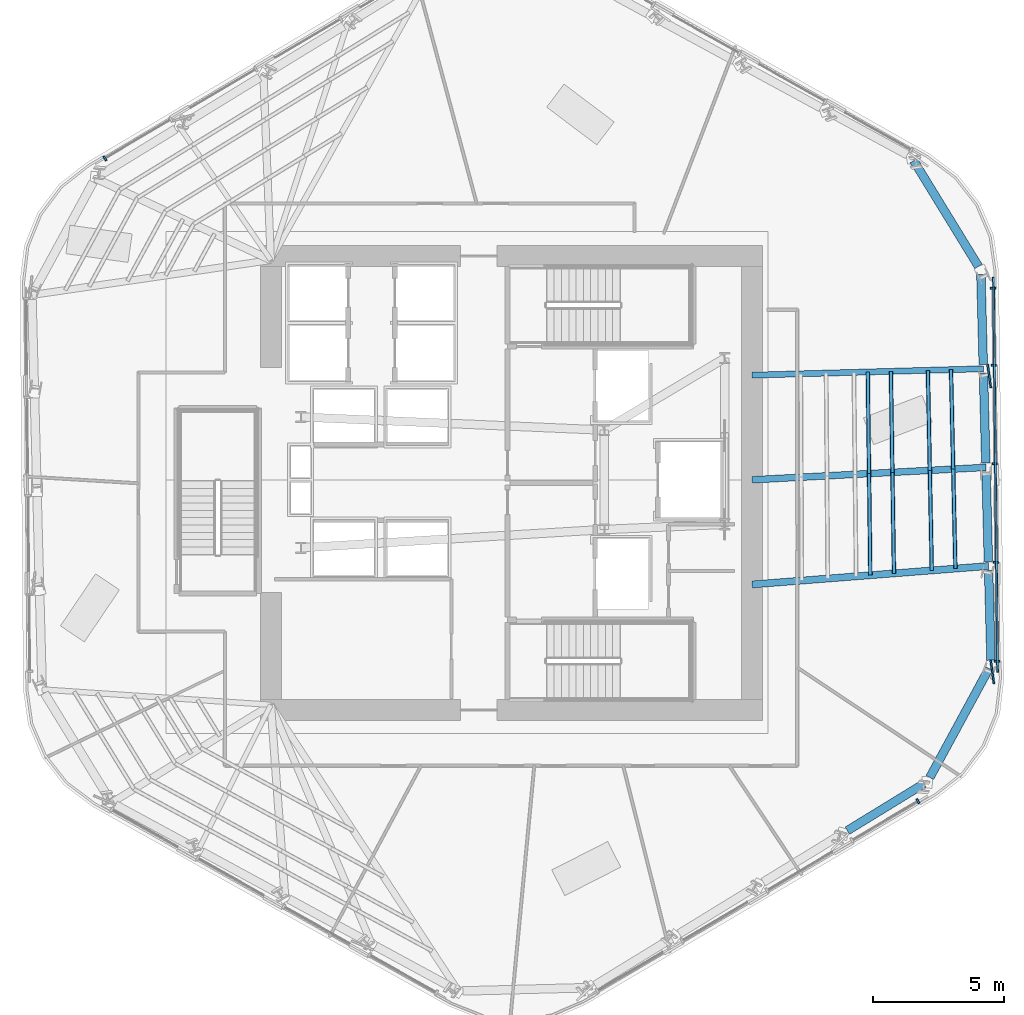
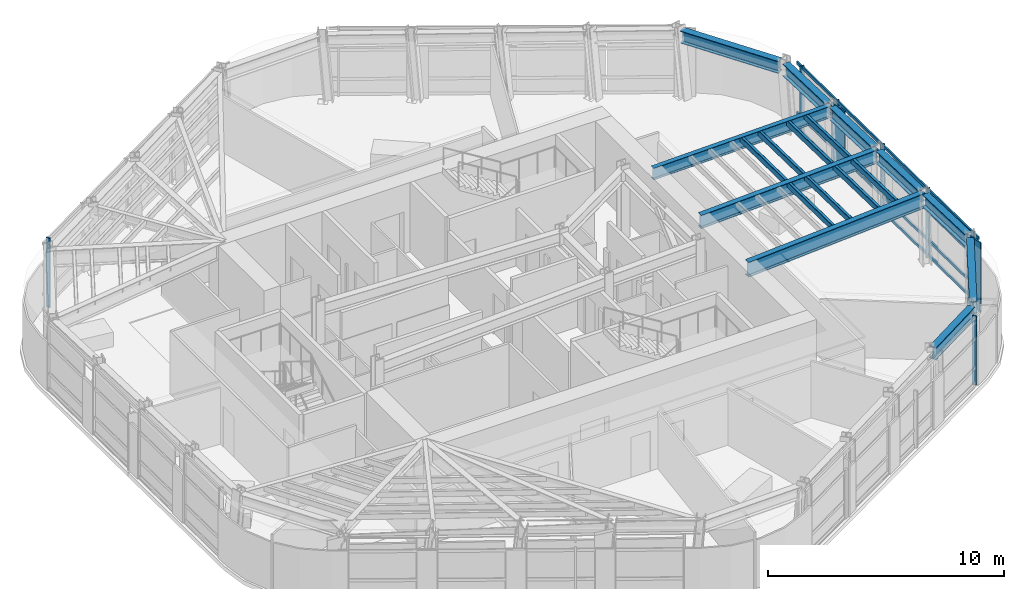
# One storey, part 5 of 16: 21 members, 10 beams, 3 elements without a shape of their own.
"""IFC4 building model written with IfcOpenShell, lengths in metres."""

from ifc_helpers import new_model, si_unit, direction, frame, origin, origin_2d, place, context, subcontext, project, spatial, rectangle, hollow_rectangle, i_section, extrude, material, layer, layer_set, material_profile, profile_set, type_object, element, aggregate, save


model = new_model("IFC4")

# Units and contexts
model_context = context("Model", 3, precision=1e-05, world=origin(), true_north=direction((0.0, 1.0)))
body_context = subcontext(model_context, "Body", "Model", "MODEL_VIEW")
ifc_project = project(units=[si_unit("LENGTHUNIT", "METRE"), si_unit("AREAUNIT", "SQUARE_METRE"), si_unit("VOLUMEUNIT", "CUBIC_METRE"), si_unit("PLANEANGLEUNIT", "RADIAN"), si_unit("MASSUNIT", "GRAM", prefix="KILO")], contexts=[model_context])

# Site, building, storey
site_placement = place(None, origin())
site = spatial("IfcSite", under=ifc_project, at=site_placement, CompositionType="ELEMENT")
building_placement = place(site_placement, origin())
building = spatial("IfcBuilding", under=site, at=building_placement, Name="Valkerne Bourse Tower", CompositionType="ELEMENT")
storey_placement = place(building_placement, frame((0.0, 0.0, 155.199951171875)))
storey = spatial("IfcBuildingStorey", under=building, at=storey_placement, Name="L39", CompositionType="ELEMENT", Elevation=155.199951171875)

# Beams
ifc_material_1 = material(Name="Steel ASTM A992", Category="steel")
ifc_material_profile_1 = material_profile(ifc_material_1, i_section(OverallWidth=0.32763671875, OverallDepth=0.62744140625, WebThickness=0.0166015625, FlangeThickness=0.027587890625, FilletRadius=0.020263671875, at=origin_2d()), Name="W24X146")
ifc_profile_set_1 = profile_set([ifc_material_profile_1], Name="Steel ASTM A992")
beam_type_1 = type_object("IfcBeamType", Name="BM-W24X146", PredefinedType="SPANDREL", material=ifc_profile_set_1)
beam_1_placement = place(storey_placement, frame((59.639892578125, 13.589599609375, 3.266357421875), z_axis=(0.852677944554, 0.522436908029, 0.0), x_axis=(-0.522436908029, 0.852677944554, 0.0)))
element("IfcBeam", 1, at=beam_1_placement, inside=storey, type_object=beam_type_1, Name="L39 Hexagonal Spandrel Ring Beam 23", PredefinedType="SPANDREL", context=body_context, shape_type="SweptSolid", body=[
    extrude(i_section(OverallWidth=0.32763671875, OverallDepth=0.62744140625, WebThickness=0.0166015625, FlangeThickness=0.027587890625, FilletRadius=0.020263671875, at=origin_2d()), origin(), (0.0, 0.0, 1.0), 3.430908203125),
])
beam_2_placement = place(storey_placement, frame((62.79150390625, 15.620361328125, 3.266357421875), z_axis=(0.477140736547, 0.8788268985, 0.0), x_axis=(-0.8788268985, 0.477140736547, 0.0)))
element("IfcBeam", 2, at=beam_2_placement, inside=storey, type_object=beam_type_1, Name="L39 Hexagonal Spandrel Ring Beam 24", PredefinedType="SPANDREL", context=body_context, shape_type="SweptSolid", body=[
    extrude(i_section(OverallWidth=0.32763671875, OverallDepth=0.62744140625, WebThickness=0.0166015625, FlangeThickness=0.027587890625, FilletRadius=0.020263671875, at=origin_2d()), origin(), (0.0, 0.0, 1.0), 4.740234375),
])
for number, where, z_axis, x_axis, name in (
    (3, (65.1298828125, 20.10546875, 3.266357421875), (-0.026185053561, 0.999657112699, 0.0), (-0.999657112699, -0.026185053561, 0.0), "L39 Hexagonal Spandrel Ring Beam 25"),
    (4, (65.03125, 23.875, 3.266357421875), (-0.026185053561, 0.999657112699, 0.0), (-0.999657112699, -0.026185053561, 0.0), "L39 Hexagonal Spandrel Ring Beam 26"),
    (5, (64.9326171875, 27.644775390625, 3.266357421875), (-0.026185053561, 0.999657112699, 0.0), (-0.999657112699, -0.026185053561, 0.0), "L39 Hexagonal Spandrel Ring Beam 27"),
    (6, (64.833984375, 31.41455078125, 3.266357421875), (-0.026256159611, 0.999655247614, 0.0), (-0.999655247614, -0.026256159611, 0.0), "L39 Hexagonal Spandrel Ring Beam 28"),
):
    element("IfcBeam", number, at=place(storey_placement, frame(where, z_axis=z_axis, x_axis=x_axis)), inside=storey, type_object=beam_type_1, Name=name, PredefinedType="SPANDREL", context=body_context, shape_type="SweptSolid", body=[
        extrude(i_section(OverallWidth=0.32763671875, OverallDepth=0.62744140625, WebThickness=0.0166015625, FlangeThickness=0.027587890625, FilletRadius=0.020263671875, at=origin_2d()), origin(), (0.0, 0.0, 1.0), 3.43115234375),
    ])
beam_3_placement = place(storey_placement, frame((64.65087890625, 35.1591796875, 3.266357421875), z_axis=(-0.522501670673, 0.852638261014, 0.0), x_axis=(-0.852638261014, -0.522501670673, 0.0)))
element("IfcBeam", 7, at=beam_3_placement, inside=storey, type_object=beam_type_1, Name="L39 Hexagonal Spandrel Ring Beam 29", PredefinedType="SPANDREL", context=body_context, shape_type="SweptSolid", body=[
    extrude(i_section(OverallWidth=0.32763671875, OverallDepth=0.62744140625, WebThickness=0.0166015625, FlangeThickness=0.027587890625, FilletRadius=0.020263671875, at=origin_2d()), origin(), (0.0, 0.0, 1.0), 4.740234375),
])
ifc_material_profile_2 = material_profile(ifc_material_1, i_section(OverallWidth=0.228271484375, OverallDepth=0.607177734375, WebThickness=0.01123046875, FlangeThickness=0.017333984375, FilletRadius=0.017822265625, at=origin_2d()), Name="W24X76")
ifc_profile_set_2 = profile_set([ifc_material_profile_2], Name="Steel ASTM A992")
beam_type_2 = type_object("IfcBeamType", Name="BM-W24X76", PredefinedType="JOIST", material=ifc_profile_set_2)
beam_4_placement = place(storey_placement, frame((64.83837890625, 31.24462890625, 3.2763671875), z_axis=(-0.999617183295, -0.027667433226, 0.0), x_axis=(0.027667433226, -0.999617183295, 0.0)))
element("IfcBeam", 8, at=beam_4_placement, inside=storey, type_object=beam_type_2, Name="L39 Radial Composite Floor Beam 28", PredefinedType="JOIST", context=body_context, shape_type="SweptSolid", body=[
    extrude(i_section(OverallWidth=0.228271484375, OverallDepth=0.607177734375, WebThickness=0.01123046875, FlangeThickness=0.017333984375, FilletRadius=0.017822265625, at=origin_2d()), origin(), (0.0, 0.0, 1.0), 8.841796875),
])
ifc_material_profile_3 = material_profile(ifc_material_1, i_section(OverallWidth=0.255859375, OverallDepth=0.693359375, WebThickness=0.014404296875, FlangeThickness=0.023681640625, FilletRadius=0.02294921875, at=origin_2d()), Name="W27X114")
ifc_profile_set_3 = profile_set([ifc_material_profile_3], Name="Steel ASTM A992")
beam_type_3 = type_object("IfcBeamType", Name="BM-W27X114", PredefinedType="BEAM", material=ifc_profile_set_3)
beam_5_placement = place(storey_placement, frame((64.93701171875, 27.474853515625, 3.2333984375), z_axis=(-0.998591404514, -0.053058522695, 0.0), x_axis=(0.053058522695, -0.998591404514, 0.0)))
element("IfcBeam", 9, at=beam_5_placement, inside=storey, type_object=beam_type_3, Name="L39 Radial Composite Floor Beam 27", PredefinedType="BEAM", context=body_context, shape_type="SweptSolid", body=[
    extrude(i_section(OverallWidth=0.255859375, OverallDepth=0.693359375, WebThickness=0.014404296875, FlangeThickness=0.023681640625, FilletRadius=0.02294921875, at=origin_2d()), origin(), (0.0, 0.0, 1.0), 8.94970703125),
])
ifc_material_profile_4 = material_profile(ifc_material_1, i_section(OverallWidth=0.26806640625, OverallDepth=0.76953125, WebThickness=0.015625, FlangeThickness=0.025390625, FilletRadius=0.025390625, at=origin_2d()), Name="W30X132")
ifc_profile_set_4 = profile_set([ifc_material_profile_4], Name="Steel ASTM A992")
beam_type_4 = type_object("IfcBeamType", Name="BM-W30X132", PredefinedType="BEAM", material=ifc_profile_set_4)
beam_6_placement = place(storey_placement, frame((65.03564453125, 23.705078125, 3.1953125), z_axis=(-0.996969262206, -0.07779646661, 0.0), x_axis=(0.07779646661, -0.996969262206, 0.0)))
element("IfcBeam", 10, at=beam_6_placement, inside=storey, type_object=beam_type_4, Name="L39 Radial Composite Floor Beam 26", PredefinedType="BEAM", context=body_context, shape_type="SweptSolid", body=[
    extrude(i_section(OverallWidth=0.26806640625, OverallDepth=0.76953125, WebThickness=0.015625, FlangeThickness=0.025390625, FilletRadius=0.025390625, at=origin_2d()), origin(), (0.0, 0.0, 1.0), 9.063232421875),
])

# Curtain wall, member
ifc_material_2 = material(Name="Aluminium AA 6063-T6", Category="aluminium")
ifc_layer = layer(ifc_material_2, 0.235107421875)
ifc_layer_set = layer_set([ifc_layer], Name="Aluminium AA 6063-T6")
curtain_wall_type = type_object("IfcCurtainWallType", Name="CW-03", PredefinedType="NOTDEFINED", material=ifc_layer_set)
curtain_wall_1_placement = place(storey_placement, origin())
curtain_wall_1 = element("IfcCurtainWall", 11, at=curtain_wall_1_placement, inside=storey, type_object=curtain_wall_type, Name="L39 Hexagonal Stick Curtain Wall Face 2", PredefinedType="NOTDEFINED")
ifc_material_profile_5 = material_profile(ifc_material_2, rectangle(XDim=0.074951171875, YDim=0.199951171875, at=origin_2d()), Name="CWM-75X200")
ifc_profile_set_5 = profile_set([ifc_material_profile_5], Name="Aluminium AA 6063-T6")
member_type_1 = type_object("IfcMemberType", Name="CW-MUL-220X75", PredefinedType="MULLION", material=ifc_profile_set_5)
member_1_placement = place(storey_placement, frame((31.260986328125, 39.283935546875, 0.0), z_axis=(0.0, 0.0, 1.0), x_axis=(-0.860755958963, -0.509017857358, 0.0)))
member_1 = element("IfcMember", 12, at=member_1_placement, type_object=member_type_1, Name="CW-L39-F2 Jamb Mullion 03B", PredefinedType="MULLION", context=body_context, shape_type="SweptSolid", body=[
    extrude(rectangle(XDim=0.074951171875, YDim=0.199951171875, at=origin_2d()), origin(), (0.0, 0.0, 1.0), 3.580078125),
])
aggregate(curtain_wall_1, [member_1])

curtain_wall_2_placement = place(storey_placement, origin())
curtain_wall_2 = element("IfcCurtainWall", 13, at=curtain_wall_2_placement, inside=storey, type_object=curtain_wall_type, Name="L39 Hexagonal Stick Curtain Wall Face 5", PredefinedType="NOTDEFINED")
member_2_placement = place(storey_placement, frame((62.3388671875, 14.716064453125, 0.0), z_axis=(0.0, 0.0, 1.0), x_axis=(0.860755958963, 0.509017857358, 0.0)))
member_2 = element("IfcMember", 14, at=member_2_placement, type_object=member_type_1, Name="CW-L39-F5 Jamb Mullion 03B", PredefinedType="MULLION", context=body_context, shape_type="SweptSolid", body=[
    extrude(rectangle(XDim=0.074951171875, YDim=0.199951171875, at=origin_2d()), origin(), (0.0, 0.0, 1.0), 3.580078125),
])
aggregate(curtain_wall_2, [member_2])

# Curtain wall, members
curtain_wall_3_placement = place(storey_placement, origin())
curtain_wall_3 = element("IfcCurtainWall", 15, at=curtain_wall_3_placement, inside=storey, type_object=curtain_wall_type, Name="L39 Hexagonal Stick Curtain Wall Face 6", PredefinedType="NOTDEFINED")
member_3_placement = place(storey_placement, frame((65.356689453125, 20.072021484375, 0.0), z_axis=(0.0, 0.0, 1.0), x_axis=(-0.010474656038, 0.999945139286, 0.0)))
member_3 = element("IfcMember", 16, at=member_3_placement, type_object=member_type_1, Name="CW-L39-F6 Jamb Mullion 00A", PredefinedType="MULLION", context=body_context, shape_type="SweptSolid", body=[
    extrude(rectangle(XDim=0.074951171875, YDim=0.199951171875, at=origin_2d()), origin(), (0.0, 0.0, 1.0), 3.580078125),
])
member_4_placement = place(storey_placement, frame((65.3173828125, 23.8427734375, 0.0), z_axis=(0.0, 0.0, 1.0), x_axis=(-0.010474656038, 0.999945139286, 0.0)))
member_4 = element("IfcMember", 17, at=member_4_placement, type_object=member_type_1, Name="CW-L39-F6 Jamb Mullion 01A", PredefinedType="MULLION", context=body_context, shape_type="SweptSolid", body=[
    extrude(rectangle(XDim=0.074951171875, YDim=0.199951171875, at=origin_2d()), origin(), (0.0, 0.0, 1.0), 3.580078125),
])
member_5_placement = place(storey_placement, frame((65.27783203125, 27.613525390625, 0.0), z_axis=(0.0, 0.0, 1.0), x_axis=(-0.010474656038, 0.999945139286, 0.0)))
member_5 = element("IfcMember", 18, at=member_5_placement, type_object=member_type_1, Name="CW-L39-F6 Jamb Mullion 02A", PredefinedType="MULLION", context=body_context, shape_type="SweptSolid", body=[
    extrude(rectangle(XDim=0.074951171875, YDim=0.199951171875, at=origin_2d()), origin(), (0.0, 0.0, 1.0), 3.580078125),
])
member_6_placement = place(storey_placement, frame((65.23828125, 31.38427734375, 0.0), z_axis=(0.0, 0.0, 1.0), x_axis=(-0.010448140824, 0.999945416687, 0.0)))
member_6 = element("IfcMember", 19, at=member_6_placement, type_object=member_type_1, Name="CW-L39-F6 Jamb Mullion 03A", PredefinedType="MULLION", context=body_context, shape_type="SweptSolid", body=[
    extrude(rectangle(XDim=0.074951171875, YDim=0.199951171875, at=origin_2d()), origin(), (0.0, 0.0, 1.0), 3.580078125),
])
member_7_placement = place(storey_placement, frame((65.207763671875, 34.315185546875, 0.0), z_axis=(0.0, 0.0, 1.0), x_axis=(-0.010448140824, 0.999945416687, 0.0)))
member_7 = element("IfcMember", 20, at=member_7_placement, type_object=member_type_1, Name="CW-L39-F6 Jamb Mullion 03B", PredefinedType="MULLION", context=body_context, shape_type="SweptSolid", body=[
    extrude(rectangle(XDim=0.074951171875, YDim=0.199951171875, at=origin_2d()), origin(), (0.0, 0.0, 1.0), 3.580078125),
])
ifc_material_profile_6 = material_profile(ifc_material_2, rectangle(XDim=0.074951171875, YDim=0.14990234375, at=origin_2d()), Name="CWT-75X150")
ifc_profile_set_6 = profile_set([ifc_material_profile_6], Name="Aluminium AA 6063-T6")
member_type_2 = type_object("IfcMemberType", Name="CW-TRN-180X65", PredefinedType="USERDEFINED", material=ifc_profile_set_6)
member_8_placement = place(storey_placement, frame((65.381103515625, 19.652099609375, 0.1201171875), z_axis=(-0.010455717583, 0.999945337491, 0.0), x_axis=(-0.999945337491, -0.010455717583, 0.0)))
member_8 = element("IfcMember", 21, at=member_8_placement, type_object=member_type_2, Name="CW-L39-F6 Continuous Face Transom 1", ObjectType="TRANSOM", PredefinedType="USERDEFINED", context=body_context, shape_type="SweptSolid", body=[
    extrude(rectangle(XDim=0.074951171875, YDim=0.14990234375, at=origin_2d()), origin(), (0.0, 0.0, 1.0), 15.083984375),
])
member_9_placement = place(storey_placement, frame((65.381103515625, 19.652099609375, 0.900146484375), z_axis=(-0.010455717583, 0.999945337491, 0.0), x_axis=(-0.999945337491, -0.010455717583, 0.0)))
member_9 = element("IfcMember", 22, at=member_9_placement, type_object=member_type_2, Name="CW-L39-F6 Continuous Face Transom 2", ObjectType="TRANSOM", PredefinedType="USERDEFINED", context=body_context, shape_type="SweptSolid", body=[
    extrude(rectangle(XDim=0.074951171875, YDim=0.14990234375, at=origin_2d()), origin(), (0.0, 0.0, 1.0), 15.083984375),
])
member_10_placement = place(storey_placement, frame((65.381103515625, 19.652099609375, 2.400146484375), z_axis=(-0.010455717583, 0.999945337491, 0.0), x_axis=(-0.999945337491, -0.010455717583, 0.0)))
member_10 = element("IfcMember", 23, at=member_10_placement, type_object=member_type_2, Name="CW-L39-F6 Continuous Face Transom 3", ObjectType="TRANSOM", PredefinedType="USERDEFINED", context=body_context, shape_type="SweptSolid", body=[
    extrude(rectangle(XDim=0.074951171875, YDim=0.14990234375, at=origin_2d()), origin(), (0.0, 0.0, 1.0), 15.083984375),
])
member_11_placement = place(storey_placement, frame((65.381103515625, 19.652099609375, 3.5), z_axis=(-0.010455717583, 0.999945337491, 0.0), x_axis=(-0.999945337491, -0.010455717583, 0.0)))
member_11 = element("IfcMember", 24, at=member_11_placement, type_object=member_type_2, Name="CW-L39-F6 Continuous Face Transom 4", ObjectType="TRANSOM", PredefinedType="USERDEFINED", context=body_context, shape_type="SweptSolid", body=[
    extrude(rectangle(XDim=0.074951171875, YDim=0.14990234375, at=origin_2d()), origin(), (0.0, 0.0, 1.0), 15.083984375),
])
aggregate(curtain_wall_3, [member_8, member_9, member_10, member_11, member_3, member_4, member_5, member_6, member_7])

# Members
ifc_material_3 = material(Name="Bronze Anodised Aluminium AA 6063-T6", Category="aluminium")
ifc_material_profile_7 = material_profile(ifc_material_3, rectangle(XDim=0.070068359375, YDim=0.89990234375, at=origin_2d()), Name="FIN-70X900")
ifc_profile_set_7 = profile_set([ifc_material_profile_7], Name="Bronze Anodised Aluminium AA 6063-T6")
member_type_3 = type_object("IfcMemberType", Name="FIN-SOLAR-900", PredefinedType="USERDEFINED", material=ifc_profile_set_7)
for number, where, z_axis, x_axis, name in (
    (25, (65.18115234375, 19.650146484375, 0.004150390625), (0.0, 0.0, 1.0), (0.99077220396, 0.135537595742, 0.0), "L39 Bronze Anodised Solar Fin F6-00"),
    (26, (65.062744140625, 30.96240234375, 0.004150390625), (0.0, 0.0, 1.0), (0.990775044217, 0.135516832006, 0.0), "L39 Bronze Anodised Solar Fin F6-03"),
):
    element("IfcMember", number, at=place(storey_placement, frame(where, z_axis=z_axis, x_axis=x_axis)), inside=storey, type_object=member_type_3, Name=name, ObjectType="SOLAR_FIN", PredefinedType="USERDEFINED", context=body_context, shape_type="SweptSolid", body=[
        extrude(rectangle(XDim=0.070068359375, YDim=0.89990234375, at=origin_2d()), origin(), (0.0, 0.0, 1.0), 3.57177734375),
    ])
ifc_material_4 = material(Name="Steel ASTM A500 Grade C", Category="steel")
ifc_material_profile_8 = material_profile(ifc_material_4, hollow_rectangle(XDim=0.14990234375, YDim=0.300048828125, WallThickness=0.012451171875, OuterFilletRadius=0.02490234375, at=origin_2d()), Name="HSS300X150X12.5")
ifc_profile_set_8 = profile_set([ifc_material_profile_8], Name="Steel ASTM A500 Grade C")
member_type_4 = type_object("IfcMemberType", Name="MBR-HSS300X150X12.5", PredefinedType="PURLIN", material=ifc_profile_set_8)
member_12_placement = place(storey_placement, frame((60.517822265625, 23.3525390625, 3.420166015625), z_axis=(-0.012693001131, 0.999919440616, 0.0), x_axis=(-0.999919440616, -0.012693001131, 0.0)))
element("IfcMember", 27, at=member_12_placement, inside=storey, type_object=member_type_4, Name="L39 Secondary Composite Floor Purlin M-26", PredefinedType="PURLIN", context=body_context, shape_type="SweptSolid", body=[
    extrude(hollow_rectangle(XDim=0.14990234375, YDim=0.300048828125, WallThickness=0.012451171875, OuterFilletRadius=0.02490234375, at=origin_2d()), origin(), (0.0, 0.0, 1.0), 3.88525390625),
])
member_13_placement = place(storey_placement, frame((60.468505859375, 27.237548828125, 3.420166015625), z_axis=(-0.012693798703, 0.999919430492, 0.0), x_axis=(-0.999919430492, -0.012693798703, 0.0)))
element("IfcMember", 28, at=member_13_placement, inside=storey, type_object=member_type_4, Name="L39 Secondary Composite Floor Purlin M-27", PredefinedType="PURLIN", context=body_context, shape_type="SweptSolid", body=[
    extrude(hollow_rectangle(XDim=0.14990234375, YDim=0.300048828125, WallThickness=0.012451171875, OuterFilletRadius=0.02490234375, at=origin_2d()), origin(), (0.0, 0.0, 1.0), 3.885009765625),
])
for number, where, z_axis, x_axis, name in (
    (29, (62.8671875, 23.535888671875, 3.420166015625), (-0.01965535833, 0.999806814784, 0.0), (-0.999806814784, -0.01965535833, 0.0), "L39 Secondary Composite Floor Purlin O-26"),
    (30, (62.7919921875, 27.36083984375, 3.420166015625), (-0.019591566766, 0.999808066837, 0.0), (-0.999808066837, -0.019591566766, 0.0), "L39 Secondary Composite Floor Purlin O-27"),
):
    element("IfcMember", number, at=place(storey_placement, frame(where, z_axis=z_axis, x_axis=x_axis)), inside=storey, type_object=member_type_4, Name=name, PredefinedType="PURLIN", context=body_context, shape_type="SweptSolid", body=[
        extrude(hollow_rectangle(XDim=0.14990234375, YDim=0.300048828125, WallThickness=0.012451171875, OuterFilletRadius=0.02490234375, at=origin_2d()), origin(), (0.0, 0.0, 1.0), 3.82568359375),
    ])
for number, where, z_axis, x_axis, name in (
    (31, (61.42138671875, 23.423095703125, 3.420166015625), (-0.015297236293, 0.999882990435, 0.0), (-0.999882990435, -0.015297236293, 0.0), "L39 Secondary Composite Floor Purlin Z-26"),
    (32, (61.3623046875, 27.284912109375, 3.420166015625), (-0.01536043313, 0.999882021588, 0.0), (-0.999882021588, -0.01536043313, 0.0), "L39 Secondary Composite Floor Purlin Z-27"),
):
    element("IfcMember", number, at=place(storey_placement, frame(where, z_axis=z_axis, x_axis=x_axis)), inside=storey, type_object=member_type_4, Name=name, PredefinedType="PURLIN", context=body_context, shape_type="SweptSolid", body=[
        extrude(hollow_rectangle(XDim=0.14990234375, YDim=0.300048828125, WallThickness=0.012451171875, OuterFilletRadius=0.02490234375, at=origin_2d()), origin(), (0.0, 0.0, 1.0), 3.8623046875),
    ])
for number, where, z_axis, x_axis, name in (
    (33, (63.770751953125, 23.6064453125, 3.420166015625), (-0.02234079136, 0.999750413374, 0.0), (-0.999750413374, -0.02234079136, 0.0), "L39 Secondary Composite Floor Purlin T-26"),
    (34, (63.685791015625, 27.408447265625, 3.420166015625), (-0.02234079136, 0.999750413374, 0.0), (-0.999750413374, -0.02234079136, 0.0), "L39 Secondary Composite Floor Purlin T-27"),
):
    element("IfcMember", number, at=place(storey_placement, frame(where, z_axis=z_axis, x_axis=x_axis)), inside=storey, type_object=member_type_4, Name=name, PredefinedType="PURLIN", context=body_context, shape_type="SweptSolid", body=[
        extrude(hollow_rectangle(XDim=0.14990234375, YDim=0.300048828125, WallThickness=0.012451171875, OuterFilletRadius=0.02490234375, at=origin_2d()), origin(), (0.0, 0.0, 1.0), 3.802978515625),
    ])

save(model, "model.ifc")
